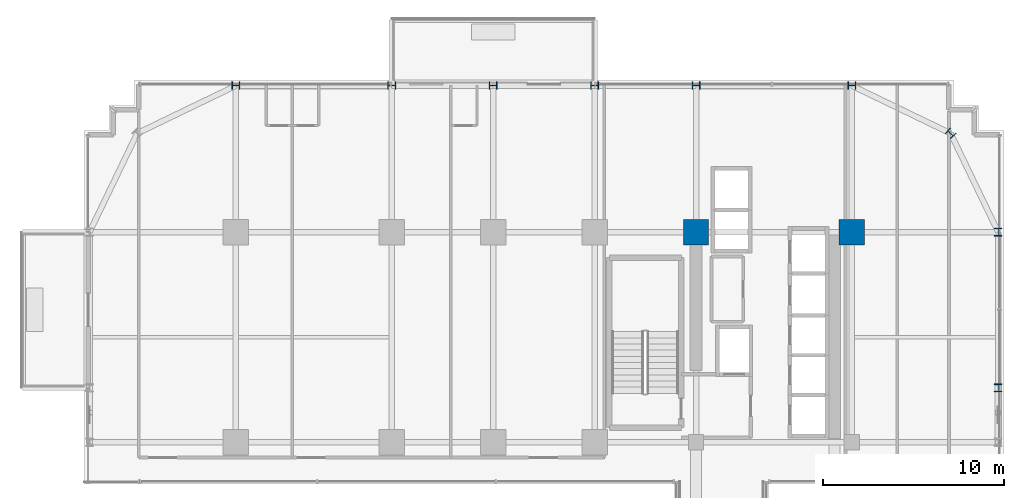
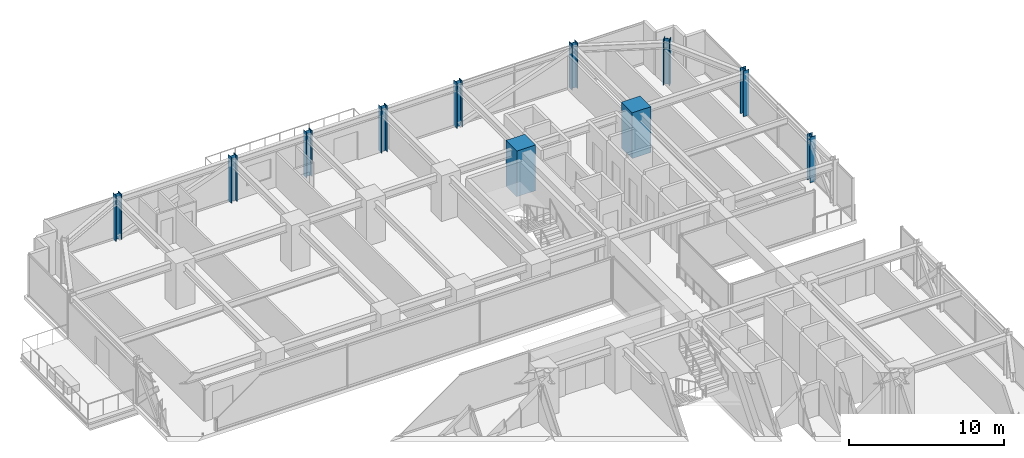
# One storey, part 2 of 43: 11 columns.
"""IFC4 building model written with IfcOpenShell, lengths in metres."""

import ifcopenshell
import ifcopenshell.guid

model = None  # the IFC model being written
_history = None  # IfcOwnerHistory: only IFC2X3 demands one
_inside = {}  # id of a spatial element -> (the spatial element, [elements in it])
_under = {}  # id of a project, library or spatial element -> (it, [spatial elements below it])
_declared = {}  # id of a project -> (the project, [libraries it declares])
_typed = {}  # id of a type object -> (the type object, [elements of that type])
_made_of = {}  # id of a material, layer set ... -> (it, [elements and type objects made of it])


def new_model(schema):
    """Start an empty IFC model of exactly this schema.

    Asked for "IFC4X3", IfcOpenShell would pick the latest addendum, in which some entities
    have other attributes; the version numbers below select the first issue.
    IFC2X3 requires an IfcOwnerHistory on every rooted entity: one is made here for all.
    """
    global model, _history
    if schema == "IFC4X3":
        model = ifcopenshell.file(schema_version=(4, 3, 0, 0))
    else:
        model = ifcopenshell.file(schema=schema)
    _inside.clear()
    _under.clear()
    _declared.clear()
    _typed.clear()
    _made_of.clear()
    _history = None
    if model.schema == "IFC2X3":
        org = make("IfcOrganization", Name="unknown")
        user = make(
            "IfcPersonAndOrganization",
            ThePerson=make("IfcPerson", FamilyName="unknown"),
            TheOrganization=org,
        )
        app = make(
            "IfcApplication",
            ApplicationDeveloper=org,
            Version="unknown",
            ApplicationFullName="unknown",
            ApplicationIdentifier="unknown",
        )
        _history = make(
            "IfcOwnerHistory",
            OwningUser=user,
            OwningApplication=app,
            ChangeAction="ADDED",
            CreationDate=0,
        )
    return model


def make(cls, **values):
    """One entity of the class cls with the attributes given. An attribute that is None is left unset."""
    return model.create_entity(
        cls, **{name: value for name, value in values.items() if value is not None}
    )


def rooted(cls, **values):
    """An entity with a GlobalId (a new one), such as an element, a storey or a relation."""
    return make(cls, GlobalId=ifcopenshell.guid.new(), OwnerHistory=_history, **values)


def si_unit(unit_type, name, prefix=None):
    """IfcSIUnit, for example si_unit("LENGTHUNIT", "METRE", prefix="MILLI")."""
    return make("IfcSIUnit", UnitType=unit_type, Prefix=prefix, Name=name)


def assignment(units):
    """IfcUnitAssignment: the units of a project."""
    return None if units is None else make("IfcUnitAssignment", Units=units)


def point(xyz):
    """IfcCartesianPoint."""
    return None if xyz is None else make("IfcCartesianPoint", Coordinates=xyz)


def direction(xyz):
    """IfcDirection."""
    return None if xyz is None else make("IfcDirection", DirectionRatios=xyz)


def frame(location, z_axis=None, x_axis=None):
    """IfcAxis2Placement3D, a coordinate frame: its origin and axes. An axis left out is left unset."""
    return make(
        "IfcAxis2Placement3D",
        Location=point(location),
        Axis=direction(z_axis),
        RefDirection=direction(x_axis),
    )


def frame_2d(location, x_axis=None):
    """IfcAxis2Placement2D, a coordinate frame in the plane: its origin and x axis."""
    return make(
        "IfcAxis2Placement2D", Location=point(location), RefDirection=direction(x_axis)
    )


def origin():
    """The frame at (0, 0, 0) with its axes left unset."""
    return frame((0.0, 0.0, 0.0))


def origin_2d():
    """The frame at (0, 0) in the plane with its x axis left unset."""
    return frame_2d((0.0, 0.0))


def place(relative_to, where):
    """IfcLocalPlacement: puts the frame where relative to a parent placement (None: the world)."""
    return make(
        "IfcLocalPlacement", PlacementRelTo=relative_to, RelativePlacement=where
    )


def context(
    kind, dimensions, precision=None, world=None, true_north=None, identifier=None
):
    """IfcGeometricRepresentationContext, for example the 3D "Model" context."""
    return make(
        "IfcGeometricRepresentationContext",
        ContextIdentifier=identifier,
        ContextType=kind,
        CoordinateSpaceDimension=dimensions,
        Precision=precision,
        WorldCoordinateSystem=world,
        TrueNorth=true_north,
    )


def subcontext(parent, identifier, kind, view, scale=None):
    """IfcGeometricRepresentationSubContext, for example "Body" below "Model"."""
    return make(
        "IfcGeometricRepresentationSubContext",
        ContextIdentifier=identifier,
        ContextType=kind,
        ParentContext=parent,
        TargetScale=scale,
        TargetView=view,
    )


def project(units=None, contexts=None):
    """IfcProject with its units and contexts."""
    return rooted(
        "IfcProject",
        Name="project",
        RepresentationContexts=contexts,
        UnitsInContext=assignment(units),
    )


def spatial(cls, under=None, at=None, **own):
    """A site, building, storey or space (cls), placed at a placement, below another one or the project."""
    s = rooted(cls, ObjectPlacement=at, **own)
    if under is not None:
        _under.setdefault(under.id(), (under, []))[1].append(s)
    return s


def profile(cls, at=None, kind="AREA", **sizes):
    """A parametric profile (cls). Its sizes go by their IFC names, for example OverallWidth=200.0."""
    return make(cls, ProfileType=kind, Position=at, **sizes)


def rectangle(**sizes):
    """IfcRectangleProfileDef."""
    return profile("IfcRectangleProfileDef", **sizes)


def i_section(**sizes):
    """IfcIShapeProfileDef."""
    return profile("IfcIShapeProfileDef", **sizes)


def extrude(swept, where, along, depth):
    """IfcExtrudedAreaSolid: the profile swept, set in the frame where, extruded along a direction by depth."""
    return make(
        "IfcExtrudedAreaSolid",
        SweptArea=swept,
        Position=where,
        ExtrudedDirection=direction(along),
        Depth=depth,
    )


def shape(context_of_items, identifier, shape_type, items):
    """IfcShapeRepresentation: the items that make up one representation, for example the "Body"."""
    return make(
        "IfcShapeRepresentation",
        ContextOfItems=context_of_items,
        RepresentationIdentifier=identifier,
        RepresentationType=shape_type,
        Items=items,
    )


def source(mapping_origin, context_of_items, identifier, shape_type, items):
    """IfcRepresentationMap: a shape defined once, which mapped items show again and again."""
    return make(
        "IfcRepresentationMap",
        MappingOrigin=mapping_origin,
        MappedRepresentation=shape(context_of_items, identifier, shape_type, items),
    )


def transform(
    local_origin,
    x_axis=None,
    y_axis=None,
    z_axis=None,
    scale=None,
    scale2=None,
    scale3=None,
    uniform=True,
):
    """IfcCartesianTransformationOperator3D, or its non-uniform kind. x_axis, y_axis, z_axis: its Axis1, 2, 3."""
    if uniform:
        return make(
            "IfcCartesianTransformationOperator3D",
            Axis1=direction(x_axis),
            Axis2=direction(y_axis),
            LocalOrigin=point(local_origin),
            Scale=scale,
            Axis3=direction(z_axis),
        )
    return make(
        "IfcCartesianTransformationOperator3DnonUniform",
        Axis1=direction(x_axis),
        Axis2=direction(y_axis),
        LocalOrigin=point(local_origin),
        Scale=scale,
        Axis3=direction(z_axis),
        Scale2=scale2,
        Scale3=scale3,
    )


def mapped(mapping_source, mapping_target):
    """IfcMappedItem: shows the shape of a source again, moved by a transform."""
    return make(
        "IfcMappedItem", MappingSource=mapping_source, MappingTarget=mapping_target
    )


def material(Name=None, Category=None):
    """IfcMaterial."""
    return make("IfcMaterial", Name=Name, Category=Category)


def material_profile(
    of_material, cross_section, Name=None, Category=None, Priority=None
):
    """IfcMaterialProfile: a cross section and its material."""
    return make(
        "IfcMaterialProfile",
        Name=Name,
        Material=of_material,
        Profile=cross_section,
        Priority=Priority,
        Category=Category,
    )


def profile_set(profiles, Name=None, composite=None):
    """IfcMaterialProfileSet."""
    return make(
        "IfcMaterialProfileSet",
        Name=Name,
        MaterialProfiles=profiles,
        CompositeProfile=composite,
    )


def made_of(thing, what):
    """Note that an element or type object is made of a material, layer set ...; save() writes the relation."""
    if what is not None:
        _made_of.setdefault(what.id(), (what, []))[1].append(thing)
    return thing


def type_object(cls, material=None, **own):
    """A type object (cls), such as IfcWallType, which elements share."""
    return made_of(rooted(cls, **own), material)


def element(
    cls,
    number,
    at=None,
    inside=None,
    cuts=None,
    type_object=None,
    material=None,
    context=None,
    identifier="Body",
    shape_type=None,
    held_by="IfcProductDefinitionShape",
    body=None,
    shapes=None,
    **own,
):
    """One element of the class cls, such as IfcWall. Its Tag is "e" and its number.

    at: its placement. inside: the storey or other place that contains it. cuts: it is an
    opening in that element (IfcRelVoidsElement). A single representation is given by context,
    identifier, shape_type and body (its items); several are given by shapes. held_by: the class
    of the entity that holds the representations. save() writes the other relations.
    """
    e = rooted(cls, Tag="e%d" % number, ObjectPlacement=at, **own)
    if body is not None:
        shapes = [shape(context, identifier, shape_type, body)]
    if shapes is not None:
        e.Representation = make(held_by, Representations=shapes)
    if inside is not None:
        _inside.setdefault(inside.id(), (inside, []))[1].append(e)
    if cuts is not None:
        rooted(
            "IfcRelVoidsElement", RelatingBuildingElement=cuts, RelatedOpeningElement=e
        )
    if type_object is not None:
        _typed.setdefault(type_object.id(), (type_object, []))[1].append(e)
    return made_of(e, material)


def aggregate(whole, parts):
    """IfcRelAggregates: a whole, such as a stair, and the parts it consists of."""
    return rooted("IfcRelAggregates", RelatingObject=whole, RelatedObjects=parts)


def save(model, path):
    """Write the relations noted so far, then the file.

    IfcRelAggregates (storeys below a building ...), IfcRelContainedInSpatialStructure (elements
    in a storey), IfcRelDefinesByType, IfcRelAssociatesMaterial and IfcRelDeclares: one each for
    every whole, place, type object, material and project.
    """
    for whole, parts in _under.values():
        aggregate(whole, parts)
    for where, things in _inside.values():
        rooted(
            "IfcRelContainedInSpatialStructure",
            RelatedElements=things,
            RelatingStructure=where,
        )
    for kind, things in _typed.values():
        rooted("IfcRelDefinesByType", RelatedObjects=things, RelatingType=kind)
    for what, things in _made_of.values():
        rooted("IfcRelAssociatesMaterial", RelatedObjects=things, RelatingMaterial=what)
    for by, libraries in _declared.values():
        rooted("IfcRelDeclares", RelatingContext=by, RelatedDefinitions=libraries)
    model.write(path)


model = new_model("IFC4")

# Units and contexts
model_context = context("Model", 3, precision=1e-05, world=origin(), true_north=direction((0.0, 1.0)))
body_context = subcontext(model_context, "Body", "Model", "MODEL_VIEW")
ifc_project = project(units=[si_unit("LENGTHUNIT", "METRE"), si_unit("AREAUNIT", "SQUARE_METRE"), si_unit("VOLUMEUNIT", "CUBIC_METRE"), si_unit("PLANEANGLEUNIT", "RADIAN"), si_unit("MASSUNIT", "GRAM", prefix="KILO")], contexts=[model_context])

# Site, building, storey
site_placement = place(None, origin())
site = spatial("IfcSite", under=ifc_project, at=site_placement, CompositionType="ELEMENT")
building_placement = place(site_placement, origin())
building = spatial("IfcBuilding", under=site, at=building_placement, Name="Nahalor Promenade Grand Hotel", CompositionType="ELEMENT")
storey_placement = place(building_placement, frame((0.0, 0.0, 47.0)))
storey = spatial("IfcBuildingStorey", under=building, at=storey_placement, Name="L10", CompositionType="ELEMENT", Elevation=47.0)

# Columns
ifc_material_1 = material(Name="Concrete B-70 (C60/75)", Category="concrete")
ifc_material_profile_1 = material_profile(ifc_material_1, rectangle(XDim=1.4, YDim=1.4, at=origin_2d()), Name="RC 1400x1400")
ifc_profile_set_1 = profile_set([ifc_material_profile_1], Name="Concrete B-70 (C60/75)")
column_type_1 = type_object("IfcColumnType", Name="Col-RC-1400", PredefinedType="COLUMN", material=ifc_profile_set_1)
shared_shape_1 = source(origin(), body_context, "Body", "SweptSolid", [
    extrude(rectangle(XDim=1.4, YDim=1.4, at=origin_2d()), origin(), (0.0, 0.0, 1.0), 3.60498046875),
])
for number, where, z_axis, x_axis, name in (
    (1, (8.39990234375, 17.0, 0.0), (0.0, 0.0, 1.0), (1.0, 0.0, 0.0), "COL-L10-I43"),
    (2, (17.0, 17.0, 0.0), (0.0, 0.0, 1.0), (1.0, 0.0, 0.0), "COL-L10-I53"),
):
    element("IfcColumn", number, at=place(storey_placement, frame(where, z_axis=z_axis, x_axis=x_axis)), inside=storey, type_object=column_type_1, Name=name, PredefinedType="COLUMN", context=body_context, shape_type="MappedRepresentation", body=[
        mapped(shared_shape_1, transform((0.0, 0.0, 0.0), scale=1.0)),
    ])
ifc_material_2 = material(Name="Steel S355J2", Category="steel")
ifc_material_profile_2 = material_profile(ifc_material_2, i_section(OverallWidth=0.412, OverallDepth=0.438, WebThickness=0.0226, FlangeThickness=0.0365, at=origin_2d()), Name="HD 400x463")
ifc_profile_set_2 = profile_set([ifc_material_profile_2], Name="Steel S355J2")
column_type_2 = type_object("IfcColumnType", Name="Col-Steel-HD463", PredefinedType="COLUMN", material=ifc_profile_set_2)
shared_shape_2 = source(origin(), body_context, "Body", "SweptSolid", [
    extrude(i_section(OverallWidth=0.412, OverallDepth=0.438, WebThickness=0.0226, FlangeThickness=0.0365, at=origin_2d()), origin(), (0.0, 0.0, 1.0), 3.60498046875),
])
for number, where, z_axis, x_axis, name in (
    (3, (25.080078125, 8.39990234375, 0.0), (0.0, 0.0, 1.0), (1.0, 0.0, 0.0), "COL-L10-PW-E4"),
    (4, (25.080078125, 17.0, 0.0), (0.0, 0.0, 1.0), (1.0, 0.0, 0.0), "COL-L10-PW-E5"),
    (5, (-17.0, 25.080078125, 0.0), (0.0, 0.0, 1.0), (0.0, 1.0, 0.0), "COL-L10-PN-N0"),
    (6, (-8.39990234375, 25.080078125, 0.0), (0.0, 0.0, 1.0), (0.0, 1.0, 0.0), "COL-L10-PN-N1"),
    (7, (-2.800048828125, 25.080078125, 0.0), (0.0, 0.0, 1.0), (0.0, 1.0, 0.0), "COL-L10-PN-N2"),
    (8, (2.800048828125, 25.080078125, 0.0), (0.0, 0.0, 1.0), (0.0, 1.0, 0.0), "COL-L10-PN-N3"),
    (9, (8.39990234375, 25.080078125, 0.0), (0.0, 0.0, 1.0), (0.0, 1.0, 0.0), "COL-L10-PN-N4"),
    (10, (17.0, 25.080078125, 0.0), (0.0, 0.0, 1.0), (0.0, 1.0, 0.0), "COL-L10-PN-N5"),
    (11, (22.449951171875, 22.449951171875, 0.0), (0.0, 0.0, 1.0), (0.707106781187, 0.707106781187, 0.0), "COL-L10-CRN-NE"),
):
    element("IfcColumn", number, at=place(storey_placement, frame(where, z_axis=z_axis, x_axis=x_axis)), inside=storey, type_object=column_type_2, Name=name, PredefinedType="COLUMN", context=body_context, shape_type="MappedRepresentation", body=[
        mapped(shared_shape_2, transform((0.0, 0.0, 0.0), scale=1.0)),
    ])

save(model, "model.ifc")
